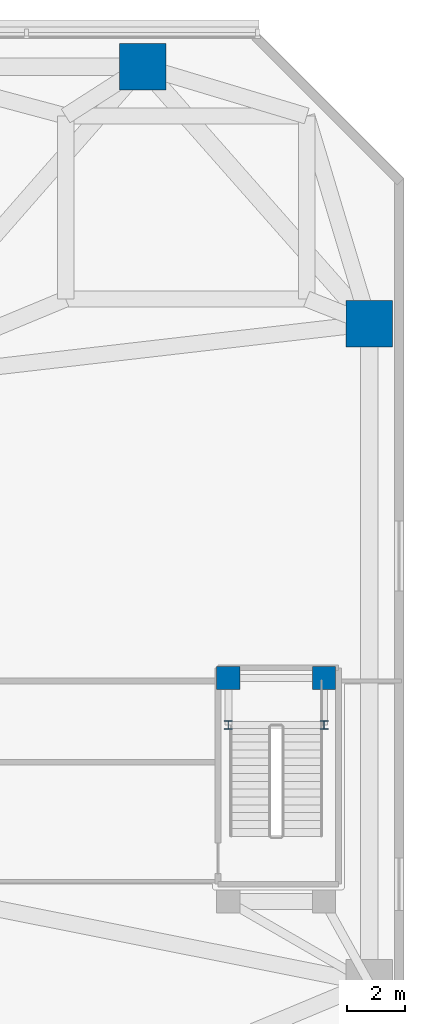
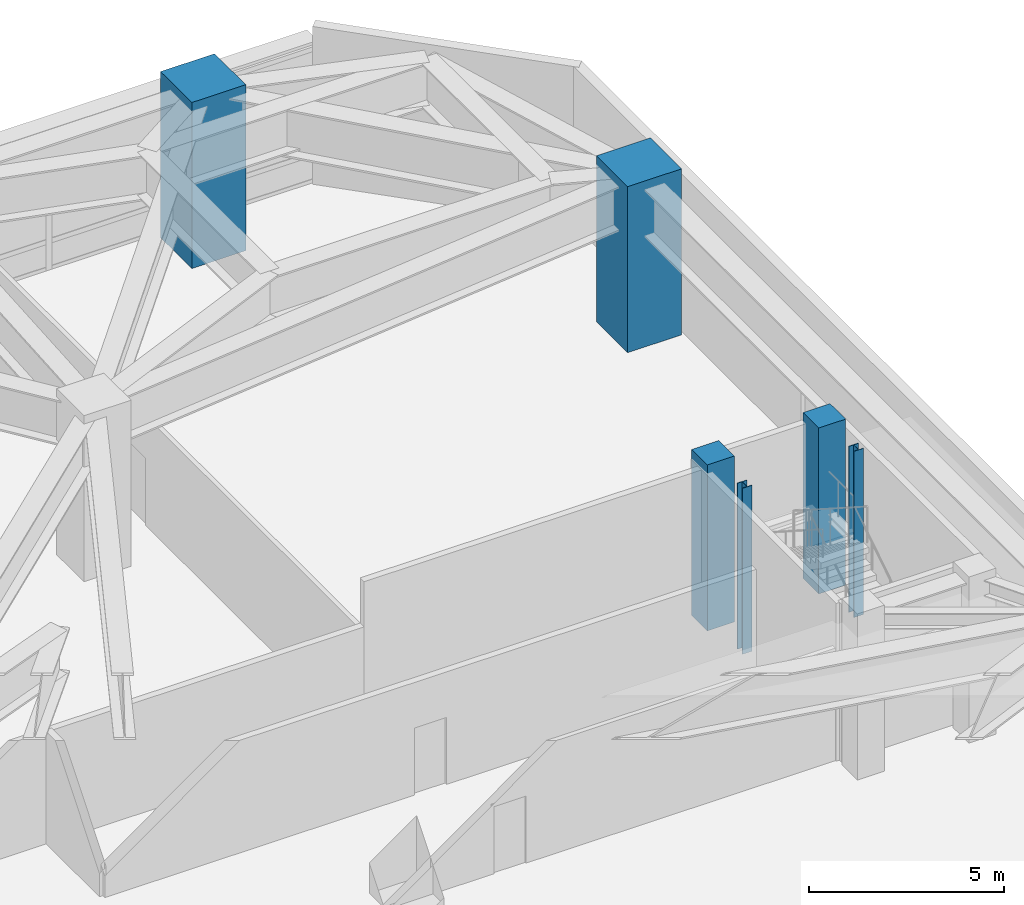
# One storey, part 4 of 27: 6 columns.
"""IFC4 building model written with IfcOpenShell, lengths in metres."""

from ifc_helpers import new_model, si_unit, direction, frame, origin, origin_2d, place, context, subcontext, project, spatial, rectangle, i_section, extrude, material, material_profile, profile_set, type_object, element, save


model = new_model("IFC4")

# Units and contexts
model_context = context("Model", 3, precision=1e-05, world=origin(), true_north=direction((0.0, 1.0)))
body_context = subcontext(model_context, "Body", "Model", "MODEL_VIEW")
ifc_project = project(units=[si_unit("LENGTHUNIT", "METRE"), si_unit("AREAUNIT", "SQUARE_METRE"), si_unit("VOLUMEUNIT", "CUBIC_METRE"), si_unit("PLANEANGLEUNIT", "RADIAN"), si_unit("MASSUNIT", "GRAM", prefix="KILO")], contexts=[model_context])

# Site, building, storey
site_placement = place(None, origin())
site = spatial("IfcSite", under=ifc_project, at=site_placement, CompositionType="ELEMENT")
building_placement = place(site_placement, origin())
building = spatial("IfcBuilding", under=site, at=building_placement, Name="Terralouvre Media Tower", CompositionType="ELEMENT")
storey_placement = place(building_placement, frame((0.0, 0.0, 20.800048828125)))
storey = spatial("IfcBuildingStorey", under=building, at=storey_placement, Name="L04", CompositionType="ELEMENT", Elevation=20.800048828125)

# Columns
ifc_material_1 = material(Name="Structural steel S355J2", Category="steel")
ifc_material_profile_1 = material_profile(ifc_material_1, i_section(OverallWidth=0.280029296875, OverallDepth=0.280029296875, WebThickness=0.010498046875, FlangeThickness=0.01806640625, at=origin_2d()), Name="HEB 280")
ifc_profile_set_1 = profile_set([ifc_material_profile_1], Name="Structural steel S355J2")
column_type_1 = type_object("IfcColumnType", Name="Basement Aisle Pilaster PL-HEB280 (HEB 280)", PredefinedType="PILASTER", material=ifc_profile_set_1)
for number, where, z_axis, x_axis, name in (
    (1, (30.949951171875, 9.679931640625, 0.0), (0.0, 0.0, 1.0), (1.0, 0.0, 0.0), "L04 Stair Half-Landing Post ST4CLP1"),
    (2, (34.25, 9.679931640625, 0.0), (0.0, 0.0, 1.0), (1.0, 0.0, 0.0), "L04 Stair Half-Landing Post ST4CLP2"),
):
    element("IfcColumn", number, at=place(storey_placement, frame(where, z_axis=z_axis, x_axis=x_axis)), inside=storey, type_object=column_type_1, Name=name, PredefinedType="PILASTER", context=body_context, shape_type="SweptSolid", body=[
        extrude(i_section(OverallWidth=0.280029296875, OverallDepth=0.280029296875, WebThickness=0.010498046875, FlangeThickness=0.01806640625, at=origin_2d()), origin(), (0.0, 0.0, 1.0), 5.199951171875),
    ])
ifc_material_2 = material(Name="Concrete C60/75", Category="concrete")
ifc_material_profile_2 = material_profile(ifc_material_2, rectangle(XDim=1.60009765625, YDim=1.60009765625, at=origin_2d()), Name="RC 1600x1600")
ifc_profile_set_2 = profile_set([ifc_material_profile_2], Name="Concrete C60/75")
column_type_2 = type_object("IfcColumnType", Name="Structural Column C-RC1600 (RC 1600x1600)", PredefinedType="COLUMN", material=ifc_profile_set_2)
for number, where, z_axis, x_axis, name in (
    (3, (35.800048828125, 23.5, 0.0), (0.0, 0.0, 1.0), (1.0, 0.0, 0.0), "L04 Perimeter Mega-Column PM09"),
    (4, (28.0, 32.35009765625, 0.0), (0.0, 0.0, 1.0), (1.0, 0.0, 0.0), "L04 Perimeter Mega-Column PM10"),
):
    element("IfcColumn", number, at=place(storey_placement, frame(where, z_axis=z_axis, x_axis=x_axis)), inside=storey, type_object=column_type_2, Name=name, PredefinedType="COLUMN", context=body_context, shape_type="SweptSolid", body=[
        extrude(rectangle(XDim=1.60009765625, YDim=1.60009765625, at=origin_2d()), origin(), (0.0, 0.0, 1.0), 5.199951171875),
    ])
ifc_material_3 = material(Name="Concrete C50/60", Category="concrete")
ifc_material_profile_3 = material_profile(ifc_material_3, rectangle(XDim=0.800048828125, YDim=0.800048828125, at=origin_2d()), Name="RC 800x800")
ifc_profile_set_3 = profile_set([ifc_material_profile_3], Name="Concrete C50/60")
column_type_3 = type_object("IfcColumnType", Name="Structural Column C-RC800 (RC 800x800)", PredefinedType="COLUMN", material=ifc_profile_set_3)
for number, where, z_axis, x_axis, name in (
    (5, (34.25, 11.300048828125, 0.0), (0.0, 0.0, 1.0), (1.0, 0.0, 0.0), "L04 Stair Pavilion Support Column ST4C3"),
    (6, (30.949951171875, 11.300048828125, 0.0), (0.0, 0.0, 1.0), (1.0, 0.0, 0.0), "L04 Stair Pavilion Support Column ST4C4"),
):
    element("IfcColumn", number, at=place(storey_placement, frame(where, z_axis=z_axis, x_axis=x_axis)), inside=storey, type_object=column_type_3, Name=name, PredefinedType="COLUMN", context=body_context, shape_type="SweptSolid", body=[
        extrude(rectangle(XDim=0.800048828125, YDim=0.800048828125, at=origin_2d()), origin(), (0.0, 0.0, 1.0), 5.199951171875),
    ])

save(model, "model.ifc")
